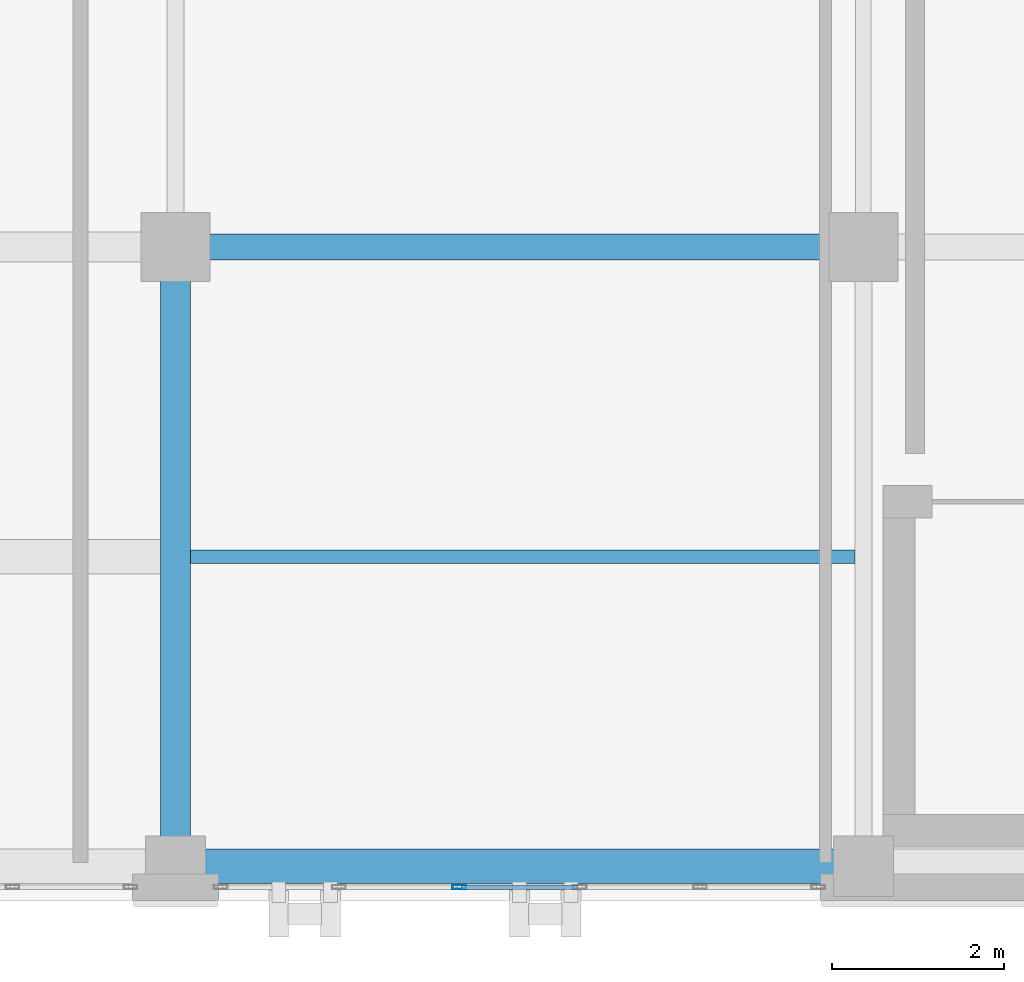
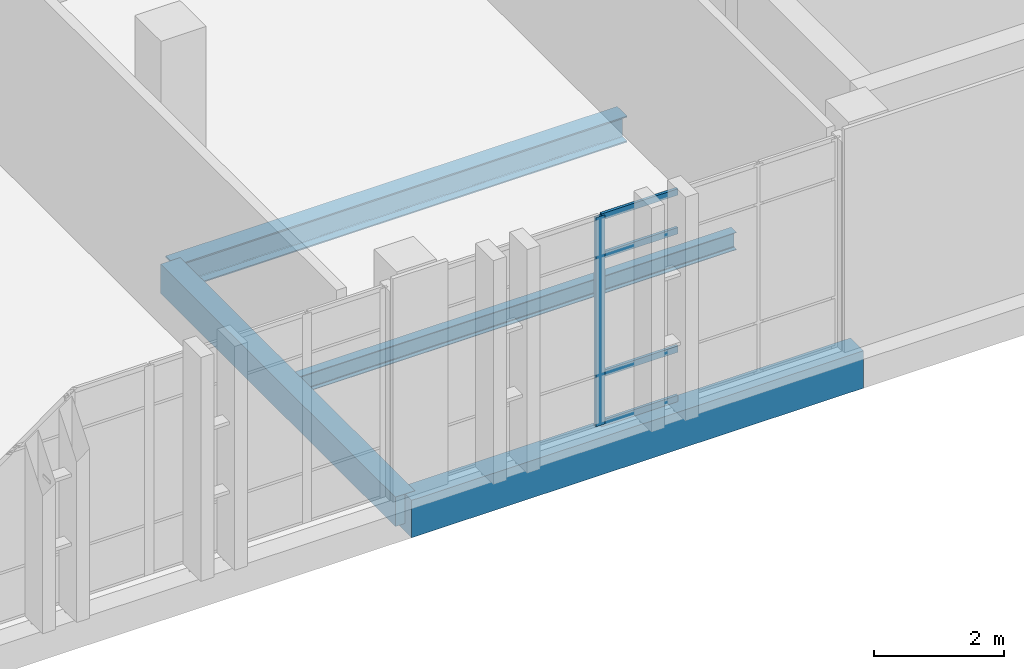
# One storey, part 47 of 193: 5 members, 4 beams, 1 element without a shape of its own.
"""IFC4 building model written with IfcOpenShell, lengths in metres."""

from ifc_helpers import new_model, si_unit, direction, frame, origin, origin_2d, place, context, subcontext, project, spatial, rectangle, hollow_rectangle, i_section, extrude, material, layer, layer_set, material_profile, profile_set, type_object, element, aggregate, save


model = new_model("IFC4")

# Units and contexts
model_context = context("Model", 3, precision=1e-05, world=origin(), true_north=direction((0.0, 1.0)))
body_context = subcontext(model_context, "Body", "Model", "MODEL_VIEW")
ifc_project = project(units=[si_unit("LENGTHUNIT", "METRE"), si_unit("AREAUNIT", "SQUARE_METRE"), si_unit("VOLUMEUNIT", "CUBIC_METRE"), si_unit("PLANEANGLEUNIT", "RADIAN"), si_unit("MASSUNIT", "GRAM", prefix="KILO")], contexts=[model_context])

# Site, building, storey
site_placement = place(None, origin())
site = spatial("IfcSite", under=ifc_project, at=site_placement, CompositionType="ELEMENT")
building_placement = place(site_placement, origin())
building = spatial("IfcBuilding", under=site, at=building_placement, Name="Qalavern Law Courts", CompositionType="ELEMENT")
storey_placement = place(building_placement, frame((0.0, 0.0, 10.199951171875)))
storey = spatial("IfcBuildingStorey", under=building, at=storey_placement, Name="L02", CompositionType="ELEMENT", Elevation=10.199951171875)

# Curtain wall, members
ifc_material_1 = material(Name="Anodised aluminium and insulated glazing", Category="aluminium")
ifc_layer = layer(ifc_material_1, 0.172119140625)
ifc_layer_set = layer_set([ifc_layer], Name="Anodised aluminium and insulated glazing")
curtain_wall_type = type_object("IfcCurtainWallType", Name="ENV-CW-COURT", PredefinedType="USERDEFINED", material=ifc_layer_set)
curtain_wall_placement = place(storey_placement, origin())
curtain_wall = element("IfcCurtainWall", 1, at=curtain_wall_placement, inside=storey, type_object=curtain_wall_type, Name="V6 unitised curtain wall L02 south 2", ObjectType="UNITISED CURTAIN WALL", PredefinedType="USERDEFINED")
ifc_material_2 = material(Name="Anodised aluminium", Category="aluminium")
ifc_material_profile_1 = material_profile(ifc_material_2, hollow_rectangle(XDim=0.048095703125, YDim=0.159912109375, WallThickness=0.00390625, at=origin_2d()), Name="ALU MULLION 48x160")
ifc_profile_set_1 = profile_set([ifc_material_profile_1], Name="Anodised aluminium")
member_type_1 = type_object("IfcMemberType", Name="ENV-CWM-48x160", PredefinedType="MULLION", material=ifc_profile_set_1)
member_1_placement = place(storey_placement, frame((113.10009765625, 1.155029296875, 0.0), z_axis=(0.0, 0.0, 1.0), x_axis=(0.0, 1.0, 0.0)))
member_1 = element("IfcMember", 2, at=member_1_placement, type_object=member_type_1, Name="CW-03 mullion 3", PredefinedType="MULLION", context=body_context, shape_type="SweptSolid", body=[
    extrude(hollow_rectangle(XDim=0.048095703125, YDim=0.159912109375, WallThickness=0.00390625, at=origin_2d()), origin(), (0.0, 0.0, 1.0), 3.9150390625),
])
ifc_material_profile_2 = material_profile(ifc_material_2, hollow_rectangle(XDim=0.048095703125, YDim=0.1201171875, WallThickness=0.00390625, at=origin_2d()), Name="ALU TRANSOM 48x120")
ifc_profile_set_2 = profile_set([ifc_material_profile_2], Name="Anodised aluminium")
member_type_2 = type_object("IfcMemberType", Name="ENV-CWT-48x120", PredefinedType="USERDEFINED", material=ifc_profile_set_2)
member_2_placement = place(storey_placement, frame((113.1240234375, 1.155029296875, 0.024169921875), z_axis=(1.0, 0.0, 0.0), x_axis=(0.0, 1.0, 0.0)))
member_2 = element("IfcMember", 3, at=member_2_placement, type_object=member_type_2, Name="CW-03 transom 3.1", ObjectType="TRANSOM", PredefinedType="USERDEFINED", context=body_context, shape_type="SweptSolid", body=[
    extrude(hollow_rectangle(XDim=0.048095703125, YDim=0.1201171875, WallThickness=0.00390625, at=origin_2d()), origin(), (0.0, 0.0, 1.0), 1.35205078125),
])
member_3_placement = place(storey_placement, frame((113.1240234375, 1.155029296875, 0.949951171875), z_axis=(1.0, 0.0, 0.0), x_axis=(0.0, 1.0, 0.0)))
member_3 = element("IfcMember", 4, at=member_3_placement, type_object=member_type_2, Name="CW-03 transom 3.2", ObjectType="TRANSOM", PredefinedType="USERDEFINED", context=body_context, shape_type="SweptSolid", body=[
    extrude(hollow_rectangle(XDim=0.048095703125, YDim=0.1201171875, WallThickness=0.00390625, at=origin_2d()), origin(), (0.0, 0.0, 1.0), 1.35205078125),
])
member_4_placement = place(storey_placement, frame((113.1240234375, 1.155029296875, 3.1650390625), z_axis=(1.0, 0.0, 0.0), x_axis=(0.0, 1.0, 0.0)))
member_4 = element("IfcMember", 5, at=member_4_placement, type_object=member_type_2, Name="CW-03 transom 3.3", ObjectType="TRANSOM", PredefinedType="USERDEFINED", context=body_context, shape_type="SweptSolid", body=[
    extrude(hollow_rectangle(XDim=0.048095703125, YDim=0.1201171875, WallThickness=0.00390625, at=origin_2d()), origin(), (0.0, 0.0, 1.0), 1.35205078125),
])
member_5_placement = place(storey_placement, frame((113.1240234375, 1.155029296875, 3.89111328125), z_axis=(1.0, 0.0, 0.0), x_axis=(0.0, 1.0, 0.0)))
member_5 = element("IfcMember", 6, at=member_5_placement, type_object=member_type_2, Name="CW-03 transom 3.4", ObjectType="TRANSOM", PredefinedType="USERDEFINED", context=body_context, shape_type="SweptSolid", body=[
    extrude(hollow_rectangle(XDim=0.048095703125, YDim=0.1201171875, WallThickness=0.00390625, at=origin_2d()), origin(), (0.0, 0.0, 1.0), 1.35205078125),
])
aggregate(curtain_wall, [member_1, member_2, member_3, member_4, member_5])

# Beams
ifc_material_3 = material(Name="Steel S355", Category="steel")
ifc_material_profile_3 = material_profile(ifc_material_3, i_section(OverallWidth=0.300048828125, OverallDepth=0.489990234375, WebThickness=0.011962890625, FlangeThickness=0.02294921875, FilletRadius=0.027099609375, at=origin_2d()), Name="HEA 500")
ifc_profile_set_3 = profile_set([ifc_material_profile_3], Name="Steel S355")
beam_type_1 = type_object("IfcBeamType", Name="STR-BM-HEA500", PredefinedType="BEAM", material=ifc_profile_set_3)
beam_1_placement = place(storey_placement, frame((109.800048828125, 8.60009765625, -0.534912109375), z_axis=(1.0, 0.0, 0.0), x_axis=(0.0, 1.0, 0.0)))
element("IfcBeam", 7, at=beam_1_placement, inside=storey, type_object=beam_type_1, Name="V6 X-beam 2-2 L02", PredefinedType="BEAM", context=body_context, shape_type="SweptSolid", body=[
    extrude(i_section(OverallWidth=0.300048828125, OverallDepth=0.489990234375, WebThickness=0.011962890625, FlangeThickness=0.02294921875, FilletRadius=0.027099609375, at=origin_2d()), origin(), (0.0, 0.0, 1.0), 8.0),
])
ifc_material_4 = material(Name="Concrete C35/45", Category="concrete")
ifc_material_profile_4 = material_profile(ifc_material_4, rectangle(XDim=0.35009765625, YDim=0.550048828125, at=origin_2d()), Name="RC 350x550")
ifc_profile_set_4 = profile_set([ifc_material_profile_4], Name="Concrete C35/45")
beam_type_2 = type_object("IfcBeamType", Name="STR-BM-RC350x550", PredefinedType="BEAM", material=ifc_profile_set_4)
beam_2_placement = place(storey_placement, frame((109.800048828125, 1.39990234375, -0.56494140625), z_axis=(0.0, 1.0, 0.0), x_axis=(-1.0, 0.0, 0.0)))
element("IfcBeam", 8, at=beam_2_placement, inside=storey, type_object=beam_type_2, Name="V6 Y-beam 2-1 L02", PredefinedType="BEAM", context=body_context, shape_type="SweptSolid", body=[
    extrude(rectangle(XDim=0.35009765625, YDim=0.550048828125, at=origin_2d()), origin(), (0.0, 0.0, 1.0), 7.2001953125),
])
ifc_material_profile_5 = material_profile(ifc_material_3, i_section(OverallWidth=0.159912109375, OverallDepth=0.330078125, WebThickness=0.007568359375, FlangeThickness=0.011474609375, FilletRadius=0.01806640625, at=origin_2d()), Name="IPE 330")
ifc_profile_set_5 = profile_set([ifc_material_profile_5], Name="Steel S355")
beam_type_3 = type_object("IfcBeamType", Name="STR-JST-IPE330", PredefinedType="JOIST", material=ifc_profile_set_5)
beam_3_placement = place(storey_placement, frame((109.972900390625, 5.0, -0.454833984375), z_axis=(1.0, 0.0, 0.0), x_axis=(0.0, 1.0, 0.0)))
element("IfcBeam", 9, at=beam_3_placement, inside=storey, type_object=beam_type_3, Name="V6 secondary joist 2.1.1 L02", PredefinedType="JOIST", context=body_context, shape_type="SweptSolid", body=[
    extrude(i_section(OverallWidth=0.159912109375, OverallDepth=0.330078125, WebThickness=0.007568359375, FlangeThickness=0.011474609375, FilletRadius=0.01806640625, at=origin_2d()), origin(), (0.0, 0.0, 1.0), 7.72900390625),
])
ifc_material_5 = material(Name="Concrete C40/50", Category="concrete")
ifc_material_profile_6 = material_profile(ifc_material_5, rectangle(XDim=0.39990234375, YDim=0.699951171875, at=origin_2d()), Name="RC 400x700")
ifc_profile_set_6 = profile_set([ifc_material_profile_6], Name="Concrete C40/50")
beam_type_4 = type_object("IfcBeamType", Name="STR-SP-RC400x700", PredefinedType="SPANDREL", material=ifc_profile_set_6)
beam_4_placement = place(storey_placement, frame((109.800048828125, 1.39990234375, -0.639892578125), z_axis=(1.0, 0.0, 0.0), x_axis=(0.0, 1.0, 0.0)))
element("IfcBeam", 10, at=beam_4_placement, inside=storey, type_object=beam_type_4, Name="V6 X-beam 1-2 L02", PredefinedType="SPANDREL", context=body_context, shape_type="SweptSolid", body=[
    extrude(rectangle(XDim=0.39990234375, YDim=0.699951171875, at=origin_2d()), origin(), (0.0, 0.0, 1.0), 8.0),
])

save(model, "model.ifc")
